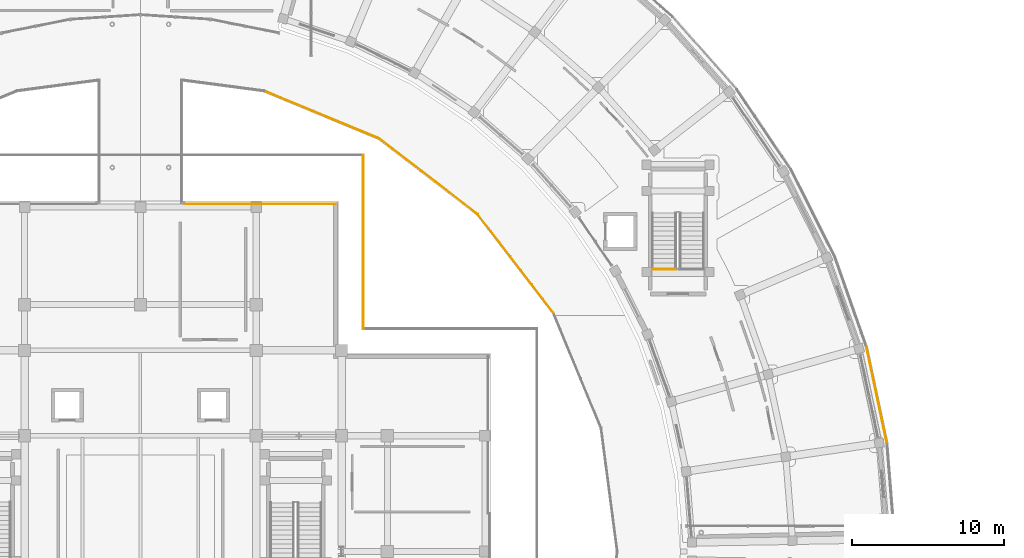
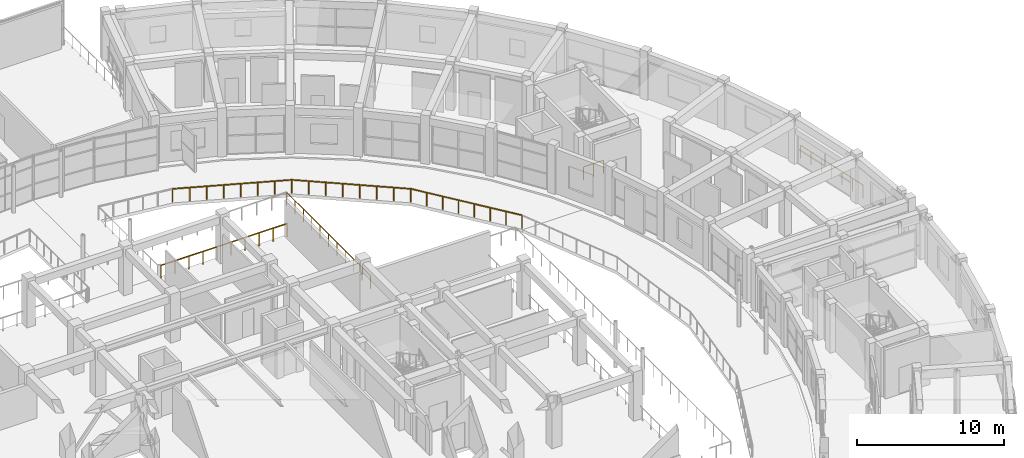
# One storey, part 80 of 83: 7 railings.
"""IFC4 building model written with IfcOpenShell, lengths in metres."""

from ifc_helpers import new_model, si_unit, direction, frame, origin, origin_2d, place, context, subcontext, project, spatial, rectangle, extrude, material, layer, layer_set, type_object, element, save


model = new_model("IFC4")

# Units and contexts
model_context = context("Model", 3, precision=1e-05, world=origin(), true_north=direction((0.0, 1.0)))
body_context = subcontext(model_context, "Body", "Model", "MODEL_VIEW")
ifc_project = project(units=[si_unit("LENGTHUNIT", "METRE"), si_unit("AREAUNIT", "SQUARE_METRE"), si_unit("VOLUMEUNIT", "CUBIC_METRE"), si_unit("PLANEANGLEUNIT", "RADIAN"), si_unit("MASSUNIT", "GRAM", prefix="KILO")], contexts=[model_context])

# Site, building, storey
site_placement = place(None, origin())
site = spatial("IfcSite", under=ifc_project, at=site_placement, CompositionType="ELEMENT")
building_placement = place(site_placement, origin())
building = spatial("IfcBuilding", under=site, at=building_placement, Name="Saryqyr Civic Hall", CompositionType="ELEMENT")
storey_placement = place(building_placement, frame((0.0, 0.0, 9.14990234375)))
storey = spatial("IfcBuildingStorey", under=building, at=storey_placement, Name="L02", CompositionType="ELEMENT", Elevation=9.14990234375)

# Railings
ifc_material_1 = material(Name="Stainless steel and laminated glass", Category="steel")
ifc_layer_1 = layer(ifc_material_1, 0.06005859375, Name="Stainless steel and laminated glass")
ifc_layer_set_1 = layer_set([ifc_layer_1], Name="Stainless steel and laminated glass")
railing_type_1 = type_object("IfcRailingType", Name="ENV-RLG-BAL-1100", PredefinedType="BALUSTRADE", material=ifc_layer_set_1)
railing_1_placement = place(storey_placement, frame((71.6201171875, 98.6201171875, 0.0)))
element("IfcRailing", 1, at=railing_1_placement, inside=storey, type_object=railing_type_1, Name="Perimeter safety balustrade V1-STEPG-L02-G06", PredefinedType="BALUSTRADE", context=body_context, shape_type="SweptSolid", body=[
    extrude(rectangle(XDim=0.048095703125, YDim=0.048095703125, at=origin_2d()), frame((0.0, 0.0, 1.076171875), z_axis=(0.0, 1.0, 0.0), x_axis=(-1.0, 0.0, 0.0)), (0.0, 0.0, 1.0), 11.39990234375),
    extrude(rectangle(XDim=0.0419921875, YDim=0.0419921875, at=origin_2d()), origin(), (0.0, 0.0, 1.0), 1.052001953125),
    extrude(rectangle(XDim=0.0419921875, YDim=0.0419921875, at=origin_2d()), frame((0.0, 1.139892578125, 0.0)), (0.0, 0.0, 1.0), 1.052001953125),
    extrude(rectangle(XDim=0.0419921875, YDim=0.0419921875, at=origin_2d()), frame((0.0, 2.280029296875, 0.0)), (0.0, 0.0, 1.0), 1.052001953125),
    extrude(rectangle(XDim=0.0419921875, YDim=0.0419921875, at=origin_2d()), frame((0.0, 3.419921875, 0.0)), (0.0, 0.0, 1.0), 1.052001953125),
    extrude(rectangle(XDim=0.0419921875, YDim=0.0419921875, at=origin_2d()), frame((0.0, 4.56005859375, 0.0)), (0.0, 0.0, 1.0), 1.052001953125),
    extrude(rectangle(XDim=0.0419921875, YDim=0.0419921875, at=origin_2d()), frame((0.0, 5.699951171875, 0.0)), (0.0, 0.0, 1.0), 1.052001953125),
    extrude(rectangle(XDim=0.0419921875, YDim=0.0419921875, at=origin_2d()), frame((0.0, 6.83984375, 0.0)), (0.0, 0.0, 1.0), 1.052001953125),
    extrude(rectangle(XDim=0.0419921875, YDim=0.0419921875, at=origin_2d()), frame((0.0, 7.97998046875, 0.0)), (0.0, 0.0, 1.0), 1.052001953125),
    extrude(rectangle(XDim=0.0419921875, YDim=0.0419921875, at=origin_2d()), frame((0.0, 9.119873046875, 0.0)), (0.0, 0.0, 1.0), 1.052001953125),
    extrude(rectangle(XDim=0.0419921875, YDim=0.0419921875, at=origin_2d()), frame((0.0, 10.260009765625, 0.0)), (0.0, 0.0, 1.0), 1.052001953125),
    extrude(rectangle(XDim=0.0419921875, YDim=0.0419921875, at=origin_2d()), frame((0.0, 11.39990234375, 0.0)), (0.0, 0.0, 1.0), 1.052001953125),
])
ifc_material_2 = material(Name="Warm brushed brass and laminated glass", Category="glass")
ifc_layer_2 = layer(ifc_material_2, 0.06005859375, Name="Warm brushed brass and laminated glass")
ifc_layer_set_2 = layer_set([ifc_layer_2], Name="Warm brushed brass and laminated glass")
railing_type_2 = type_object("IfcRailingType", Name="INT-RLG-BAL-1100", PredefinedType="BALUSTRADE", material=ifc_layer_set_2)
railing_2_placement = place(storey_placement, frame((59.89990234375, 106.800048828125, 0.0)))
element("IfcRailing", 2, at=railing_2_placement, inside=storey, type_object=railing_type_2, Name="Perimeter safety balustrade V1-JNTGB-L02-05-G01", PredefinedType="BALUSTRADE", context=body_context, shape_type="SweptSolid", body=[
    extrude(rectangle(XDim=0.048095703125, YDim=0.048095703125, at=origin_2d()), frame((0.0, 0.0, 1.076171875), z_axis=(1.0, 0.0, 0.0), x_axis=(0.0, 1.0, 0.0)), (0.0, 0.0, 1.0), 9.900146484375),
    extrude(rectangle(XDim=0.0419921875, YDim=0.0419921875, at=origin_2d()), origin(), (0.0, 0.0, 1.0), 1.052001953125),
    extrude(rectangle(XDim=0.0419921875, YDim=0.0419921875, at=origin_2d()), frame((1.10009765625, 0.0, 0.0)), (0.0, 0.0, 1.0), 1.052001953125),
    extrude(rectangle(XDim=0.0419921875, YDim=0.0419921875, at=origin_2d()), frame((2.199951171875, 0.0, 0.0)), (0.0, 0.0, 1.0), 1.052001953125),
    extrude(rectangle(XDim=0.0419921875, YDim=0.0419921875, at=origin_2d()), frame((3.300048828125, 0.0, 0.0)), (0.0, 0.0, 1.0), 1.052001953125),
    extrude(rectangle(XDim=0.0419921875, YDim=0.0419921875, at=origin_2d()), frame((4.400146484375, 0.0, 0.0)), (0.0, 0.0, 1.0), 1.052001953125),
    extrude(rectangle(XDim=0.0419921875, YDim=0.0419921875, at=origin_2d()), frame((5.5, 0.0, 0.0)), (0.0, 0.0, 1.0), 1.052001953125),
    extrude(rectangle(XDim=0.0419921875, YDim=0.0419921875, at=origin_2d()), frame((6.60009765625, 0.0, 0.0)), (0.0, 0.0, 1.0), 1.052001953125),
    extrude(rectangle(XDim=0.0419921875, YDim=0.0419921875, at=origin_2d()), frame((7.7001953125, 0.0, 0.0)), (0.0, 0.0, 1.0), 1.052001953125),
    extrude(rectangle(XDim=0.0419921875, YDim=0.0419921875, at=origin_2d()), frame((8.800048828125, 0.0, 0.0)), (0.0, 0.0, 1.0), 1.052001953125),
    extrude(rectangle(XDim=0.0419921875, YDim=0.0419921875, at=origin_2d()), frame((9.900146484375, 0.0, 0.0)), (0.0, 0.0, 1.0), 1.052001953125),
])
railing_3_placement = place(storey_placement, frame((104.657958984375, 97.376708984375, 0.0)))
element("IfcRailing", 3, at=railing_3_placement, inside=storey, type_object=railing_type_2, Name="Interior deck safety balustrade L02-032", PredefinedType="BALUSTRADE", context=body_context, shape_type="SweptSolid", body=[
    extrude(rectangle(XDim=0.048095703125, YDim=0.048095703125, at=origin_2d()), frame((0.0, 0.0, 1.09619140625), z_axis=(0.207858296561, -0.97815894851, 0.0), x_axis=(0.97815894851, 0.207858296561, 0.0)), (0.0, 0.0, 1.0), 6.35791015625),
    extrude(rectangle(XDim=0.0419921875, YDim=0.0419921875, at=origin_2d()), origin(), (0.0, 0.0, 1.0), 1.072021484375),
    extrude(rectangle(XDim=0.0419921875, YDim=0.0419921875, at=origin_2d()), frame((0.22021484375, -1.03662109375, 0.0)), (0.0, 0.0, 1.0), 1.072021484375),
    extrude(rectangle(XDim=0.0419921875, YDim=0.0419921875, at=origin_2d()), frame((0.4404296875, -2.072998046875, 0.0)), (0.0, 0.0, 1.0), 1.072021484375),
    extrude(rectangle(XDim=0.0419921875, YDim=0.0419921875, at=origin_2d()), frame((0.66064453125, -3.109375, 0.0)), (0.0, 0.0, 1.0), 1.072021484375),
    extrude(rectangle(XDim=0.0419921875, YDim=0.0419921875, at=origin_2d()), frame((0.881103515625, -4.14599609375, 0.0)), (0.0, 0.0, 1.0), 1.072021484375),
    extrude(rectangle(XDim=0.0419921875, YDim=0.0419921875, at=origin_2d()), frame((1.101318359375, -5.1826171875, 0.0)), (0.0, 0.0, 1.0), 1.072021484375),
    extrude(rectangle(XDim=0.0419921875, YDim=0.0419921875, at=origin_2d()), frame((1.321533203125, -6.218994140625, 0.0)), (0.0, 0.0, 1.0), 1.072021484375),
])
railing_4_placement = place(storey_placement, frame((90.60498046875, 102.52001953125, 0.0)))
element("IfcRailing", 4, at=railing_4_placement, inside=storey, type_object=railing_type_2, Name="Interior deck safety balustrade L02-054", PredefinedType="BALUSTRADE", context=body_context, shape_type="SweptSolid", body=[
    extrude(rectangle(XDim=0.048095703125, YDim=0.048095703125, at=origin_2d()), frame((0.0, 0.0, 1.09619140625), z_axis=(1.0, 0.0, 0.0), x_axis=(0.0, 1.0, 0.0)), (0.0, 0.0, 1.0), 1.574951171875),
    extrude(rectangle(XDim=0.0419921875, YDim=0.0419921875, at=origin_2d()), origin(), (0.0, 0.0, 1.0), 1.072021484375),
    extrude(rectangle(XDim=0.0419921875, YDim=0.0419921875, at=origin_2d()), frame((0.78759765625, 0.0, 0.0)), (0.0, 0.0, 1.0), 1.072021484375),
    extrude(rectangle(XDim=0.0419921875, YDim=0.0419921875, at=origin_2d()), frame((1.574951171875, 0.0, 0.0)), (0.0, 0.0, 1.0), 1.072021484375),
])
railing_5_placement = place(storey_placement, frame((84.107421875, 99.650390625, 0.0)))
element("IfcRailing", 5, at=railing_5_placement, inside=storey, type_object=railing_type_2, Name="Interior deck safety balustrade L02-068", PredefinedType="BALUSTRADE", context=body_context, shape_type="SweptSolid", body=[
    extrude(rectangle(XDim=0.048095703125, YDim=0.048095703125, at=origin_2d()), frame((0.0, 0.0, 1.09619140625), z_axis=(-0.608764559899, 0.793350937865, 0.0), x_axis=(-0.793350937865, -0.608764559899, 0.0)), (0.0, 0.0, 1.0), 8.171142578125),
    extrude(rectangle(XDim=0.0419921875, YDim=0.0419921875, at=origin_2d()), origin(), (0.0, 0.0, 1.0), 1.072021484375),
    extrude(rectangle(XDim=0.0419921875, YDim=0.0419921875, at=origin_2d()), frame((-0.710693359375, 0.926025390625, 0.0)), (0.0, 0.0, 1.0), 1.072021484375),
    extrude(rectangle(XDim=0.0419921875, YDim=0.0419921875, at=origin_2d()), frame((-1.421142578125, 1.852294921875, 0.0)), (0.0, 0.0, 1.0), 1.072021484375),
    extrude(rectangle(XDim=0.0419921875, YDim=0.0419921875, at=origin_2d()), frame((-2.1318359375, 2.7783203125, 0.0)), (0.0, 0.0, 1.0), 1.072021484375),
    extrude(rectangle(XDim=0.0419921875, YDim=0.0419921875, at=origin_2d()), frame((-2.842529296875, 3.704345703125, 0.0)), (0.0, 0.0, 1.0), 1.072021484375),
    extrude(rectangle(XDim=0.0419921875, YDim=0.0419921875, at=origin_2d()), frame((-3.55322265625, 4.63037109375, 0.0)), (0.0, 0.0, 1.0), 1.072021484375),
    extrude(rectangle(XDim=0.0419921875, YDim=0.0419921875, at=origin_2d()), frame((-4.263671875, 5.556640625, 0.0)), (0.0, 0.0, 1.0), 1.072021484375),
    extrude(rectangle(XDim=0.0419921875, YDim=0.0419921875, at=origin_2d()), frame((-4.974365234375, 6.482666015625, 0.0)), (0.0, 0.0, 1.0), 1.072021484375),
])
railing_6_placement = place(storey_placement, frame((79.133056640625, 106.133056640625, 0.0)))
element("IfcRailing", 6, at=railing_6_placement, inside=storey, type_object=railing_type_2, Name="Interior deck safety balustrade L02-069", PredefinedType="BALUSTRADE", context=body_context, shape_type="SweptSolid", body=[
    extrude(rectangle(XDim=0.048095703125, YDim=0.048095703125, at=origin_2d()), frame((0.0, 0.0, 1.09619140625), z_axis=(-0.793350937865, 0.608764559899, 0.0), x_axis=(-0.608764559899, -0.793350937865, 0.0)), (0.0, 0.0, 1.0), 8.171142578125),
    extrude(rectangle(XDim=0.0419921875, YDim=0.0419921875, at=origin_2d()), origin(), (0.0, 0.0, 1.0), 1.072021484375),
    extrude(rectangle(XDim=0.0419921875, YDim=0.0419921875, at=origin_2d()), frame((-0.926025390625, 0.710693359375, 0.0)), (0.0, 0.0, 1.0), 1.072021484375),
    extrude(rectangle(XDim=0.0419921875, YDim=0.0419921875, at=origin_2d()), frame((-1.852294921875, 1.421142578125, 0.0)), (0.0, 0.0, 1.0), 1.072021484375),
    extrude(rectangle(XDim=0.0419921875, YDim=0.0419921875, at=origin_2d()), frame((-2.7783203125, 2.1318359375, 0.0)), (0.0, 0.0, 1.0), 1.072021484375),
    extrude(rectangle(XDim=0.0419921875, YDim=0.0419921875, at=origin_2d()), frame((-3.704345703125, 2.842529296875, 0.0)), (0.0, 0.0, 1.0), 1.072021484375),
    extrude(rectangle(XDim=0.0419921875, YDim=0.0419921875, at=origin_2d()), frame((-4.63037109375, 3.55322265625, 0.0)), (0.0, 0.0, 1.0), 1.072021484375),
    extrude(rectangle(XDim=0.0419921875, YDim=0.0419921875, at=origin_2d()), frame((-5.556640625, 4.263671875, 0.0)), (0.0, 0.0, 1.0), 1.072021484375),
    extrude(rectangle(XDim=0.0419921875, YDim=0.0419921875, at=origin_2d()), frame((-6.482666015625, 4.974365234375, 0.0)), (0.0, 0.0, 1.0), 1.072021484375),
])
railing_7_placement = place(storey_placement, frame((72.650390625, 111.107421875, 0.0)))
element("IfcRailing", 7, at=railing_7_placement, inside=storey, type_object=railing_type_2, Name="Interior deck safety balustrade L02-070", PredefinedType="BALUSTRADE", context=body_context, shape_type="SweptSolid", body=[
    extrude(rectangle(XDim=0.048095703125, YDim=0.048095703125, at=origin_2d()), frame((0.0, 0.0, 1.09619140625), z_axis=(-0.923878450384, 0.382686044841, 0.0), x_axis=(-0.382686044841, -0.923878450384, 0.0)), (0.0, 0.0, 1.0), 8.171142578125),
    extrude(rectangle(XDim=0.0419921875, YDim=0.0419921875, at=origin_2d()), origin(), (0.0, 0.0, 1.0), 1.072021484375),
    extrude(rectangle(XDim=0.0419921875, YDim=0.0419921875, at=origin_2d()), frame((-1.078369140625, 0.44677734375, 0.0)), (0.0, 0.0, 1.0), 1.072021484375),
    extrude(rectangle(XDim=0.0419921875, YDim=0.0419921875, at=origin_2d()), frame((-2.156982421875, 0.893310546875, 0.0)), (0.0, 0.0, 1.0), 1.072021484375),
    extrude(rectangle(XDim=0.0419921875, YDim=0.0419921875, at=origin_2d()), frame((-3.2353515625, 1.340087890625, 0.0)), (0.0, 0.0, 1.0), 1.072021484375),
    extrude(rectangle(XDim=0.0419921875, YDim=0.0419921875, at=origin_2d()), frame((-4.313720703125, 1.786865234375, 0.0)), (0.0, 0.0, 1.0), 1.072021484375),
    extrude(rectangle(XDim=0.0419921875, YDim=0.0419921875, at=origin_2d()), frame((-5.39208984375, 2.233642578125, 0.0)), (0.0, 0.0, 1.0), 1.072021484375),
    extrude(rectangle(XDim=0.0419921875, YDim=0.0419921875, at=origin_2d()), frame((-6.470703125, 2.68017578125, 0.0)), (0.0, 0.0, 1.0), 1.072021484375),
    extrude(rectangle(XDim=0.0419921875, YDim=0.0419921875, at=origin_2d()), frame((-7.549072265625, 3.126953125, 0.0)), (0.0, 0.0, 1.0), 1.072021484375),
])

save(model, "model.ifc")
